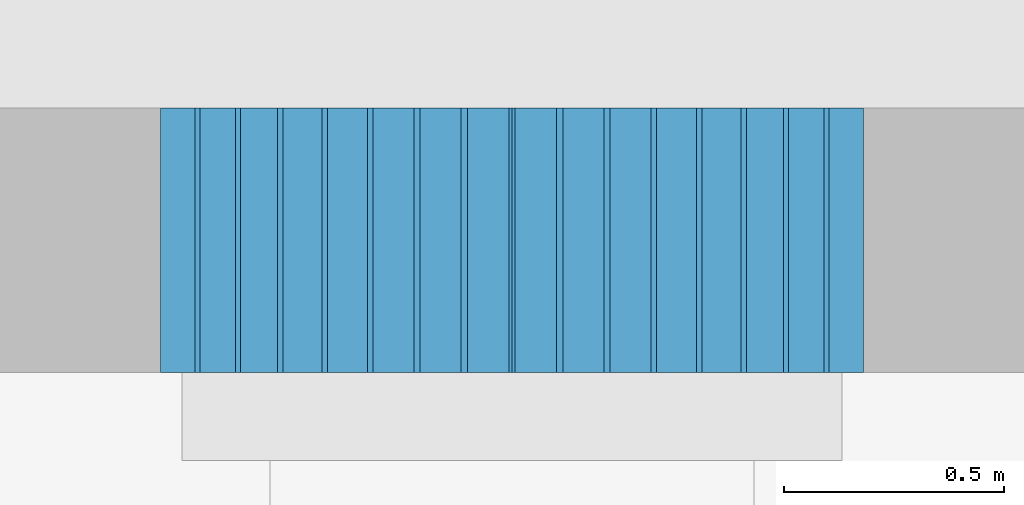
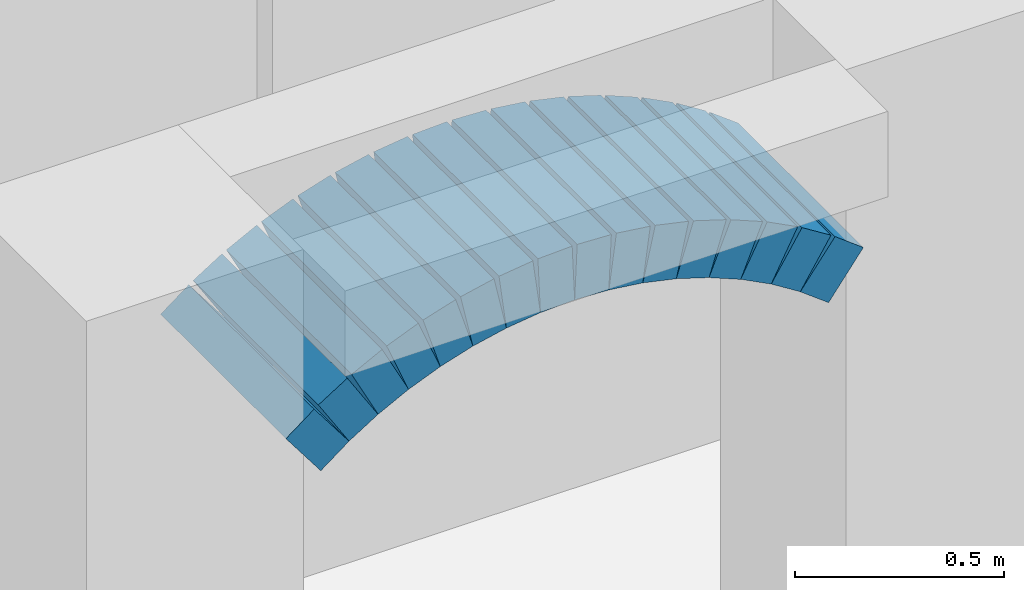
# One storey, part 30 of 115: 16 members.
"""IFC4 building model written with IfcOpenShell, lengths in metres."""

from ifc_helpers import new_model, si_unit, direction, frame, origin, origin_2d, place, context, subcontext, project, spatial, rectangle, extrude, material, material_profile, profile_set, type_object, element, save


model = new_model("IFC4")

# Units and contexts
model_context = context("Model", 3, precision=1e-05, world=origin(), true_north=direction((0.0, 1.0)))
body_context = subcontext(model_context, "Body", "Model", "MODEL_VIEW")
ifc_project = project(units=[si_unit("LENGTHUNIT", "METRE"), si_unit("AREAUNIT", "SQUARE_METRE"), si_unit("VOLUMEUNIT", "CUBIC_METRE"), si_unit("PLANEANGLEUNIT", "RADIAN"), si_unit("MASSUNIT", "GRAM", prefix="KILO")], contexts=[model_context])

# Site, building, storey
site_placement = place(None, origin())
site = spatial("IfcSite", under=ifc_project, at=site_placement, CompositionType="ELEMENT")
building_placement = place(site_placement, origin())
building = spatial("IfcBuilding", under=site, at=building_placement, Name="Ridgestep Commons", CompositionType="ELEMENT")
storey_placement = place(building_placement, frame((0.0, 0.0, 6.0)))
storey = spatial("IfcBuildingStorey", under=building, at=storey_placement, Name="L02", CompositionType="ELEMENT", Elevation=6.0)

# Members
ifc_material = material(Name="Precast concrete C40/50", Category="concrete")
ifc_material_profile = material_profile(ifc_material, rectangle(XDim=0.60009765625, YDim=0.159912109375, at=origin_2d()), Name="Portal arch segment 600 x 160")
ifc_profile_set = profile_set([ifc_material_profile], Name="Precast concrete C40/50")
member_type = type_object("IfcMemberType", Name="Portal arch segment 600 x 160", PredefinedType="USERDEFINED", material=ifc_profile_set)
member_1_placement = place(storey_placement, frame((165.862548828125, 11.449951171875, 2.300048828125), z_axis=(0.797600835796, 0.0, 0.603185632071), x_axis=(0.0, 1.0, 0.0)))
element("IfcMember", 1, at=member_1_placement, inside=storey, type_object=member_type, Name="Portal arch segment D1", ObjectType="ARCH SEGMENT", PredefinedType="USERDEFINED", context=body_context, shape_type="SweptSolid", body=[
    extrude(rectangle(XDim=0.60009765625, YDim=0.159912109375, at=origin_2d()), origin(), (0.0, 0.0, 1.0), 0.097900390625),
])
member_2_placement = place(storey_placement, frame((165.946533203125, 11.449951171875, 2.36328125), z_axis=(0.846835904525, 0.0, 0.53185425711), x_axis=(0.0, 1.0, 0.0)))
element("IfcMember", 2, at=member_2_placement, inside=storey, type_object=member_type, Name="Portal arch segment D2", ObjectType="ARCH SEGMENT", PredefinedType="USERDEFINED", context=body_context, shape_type="SweptSolid", body=[
    extrude(rectangle(XDim=0.60009765625, YDim=0.159912109375, at=origin_2d()), origin(), (0.0, 0.0, 1.0), 0.094482421875),
])
for number, where, z_axis, x_axis, name in (
    (3, (166.03271484375, 11.449951171875, 2.4169921875), (0.888688378727, 0.0, 0.458511685256), (0.0, 1.0, 0.0), "Portal arch segment D3"),
    (4, (166.123046875, 11.449951171875, 2.463134765625), (0.925423721181, 0.0, 0.378933947113), (0.0, 1.0, 0.0), "Portal arch segment D4"),
    (5, (166.21728515625, 11.449951171875, 2.50146484375), (0.954204240747, 0.0, 0.299155924126), (0.0, 1.0, 0.0), "Portal arch segment D5"),
    (6, (166.314208984375, 11.449951171875, 2.531494140625), (0.976849546351, 0.0, 0.213927473211), (0.0, 1.0, 0.0), "Portal arch segment D6"),
    (7, (166.41357421875, 11.449951171875, 2.552978515625), (0.991672073525, 0.0, 0.128788580977), (0.0, 1.0, 0.0), "Portal arch segment D7"),
    (8, (166.514404296875, 11.449951171875, 2.565673828125), (0.999041527498, 0.0, 0.04377243806), (0.0, 1.0, 0.0), "Portal arch segment D8"),
):
    element("IfcMember", number, at=place(storey_placement, frame(where, z_axis=z_axis, x_axis=x_axis)), inside=storey, type_object=member_type, Name=name, ObjectType="ARCH SEGMENT", PredefinedType="USERDEFINED", context=body_context, shape_type="SweptSolid", body=[
        extrude(rectangle(XDim=0.60009765625, YDim=0.159912109375, at=origin_2d()), origin(), (0.0, 0.0, 1.0), 0.0947265625),
    ])
for number, where, z_axis, x_axis, name in (
    (9, (166.615966796875, 11.449951171875, 2.56982421875), (0.999036574918, 0.0, -0.04388532758), (0.0, 1.0, 0.0), "Portal arch segment D9"),
    (10, (166.717529296875, 11.449951171875, 2.565185546875), (0.991629186244, 0.0, -0.129118383625), (0.0, 1.0, 0.0), "Portal arch segment D10"),
):
    element("IfcMember", number, at=place(storey_placement, frame(where, z_axis=z_axis, x_axis=x_axis)), inside=storey, type_object=member_type, Name=name, ObjectType="ARCH SEGMENT", PredefinedType="USERDEFINED", context=body_context, shape_type="SweptSolid", body=[
        extrude(rectangle(XDim=0.60009765625, YDim=0.159912109375, at=origin_2d()), origin(), (0.0, 0.0, 1.0), 0.094482421875),
    ])
member_3_placement = place(storey_placement, frame((166.818115234375, 11.449951171875, 2.5517578125), z_axis=(0.976849546351, 0.0, -0.213927473211), x_axis=(0.0, 1.0, 0.0)))
element("IfcMember", 11, at=member_3_placement, inside=storey, type_object=member_type, Name="Portal arch segment D11", ObjectType="ARCH SEGMENT", PredefinedType="USERDEFINED", context=body_context, shape_type="SweptSolid", body=[
    extrude(rectangle(XDim=0.60009765625, YDim=0.159912109375, at=origin_2d()), origin(), (0.0, 0.0, 1.0), 0.0947265625),
])
member_4_placement = place(storey_placement, frame((166.917236328125, 11.449951171875, 2.52978515625), z_axis=(0.954434191014, 0.0, -0.298421472123), x_axis=(0.0, 1.0, 0.0)))
element("IfcMember", 12, at=member_4_placement, inside=storey, type_object=member_type, Name="Portal arch segment D12", ObjectType="ARCH SEGMENT", PredefinedType="USERDEFINED", context=body_context, shape_type="SweptSolid", body=[
    extrude(rectangle(XDim=0.60009765625, YDim=0.159912109375, at=origin_2d()), origin(), (0.0, 0.0, 1.0), 0.094970703125),
])
for number, where, z_axis, x_axis, name in (
    (13, (167.01416015625, 11.449951171875, 2.4990234375), (0.925423721181, 0.0, -0.378933947113), (0.0, 1.0, 0.0), "Portal arch segment D13"),
    (14, (167.108154296875, 11.449951171875, 2.46044921875), (0.888688378727, 0.0, -0.458511685256), (0.0, 1.0, 0.0), "Portal arch segment D14"),
):
    element("IfcMember", number, at=place(storey_placement, frame(where, z_axis=z_axis, x_axis=x_axis)), inside=storey, type_object=member_type, Name=name, ObjectType="ARCH SEGMENT", PredefinedType="USERDEFINED", context=body_context, shape_type="SweptSolid", body=[
        extrude(rectangle(XDim=0.60009765625, YDim=0.159912109375, at=origin_2d()), origin(), (0.0, 0.0, 1.0), 0.0947265625),
    ])
member_5_placement = place(storey_placement, frame((167.198486328125, 11.449951171875, 2.41357421875), z_axis=(0.846835904525, 0.0, -0.53185425711), x_axis=(0.0, 1.0, 0.0)))
element("IfcMember", 15, at=member_5_placement, inside=storey, type_object=member_type, Name="Portal arch segment D15", ObjectType="ARCH SEGMENT", PredefinedType="USERDEFINED", context=body_context, shape_type="SweptSolid", body=[
    extrude(rectangle(XDim=0.60009765625, YDim=0.159912109375, at=origin_2d()), origin(), (0.0, 0.0, 1.0), 0.094482421875),
])
member_6_placement = place(storey_placement, frame((167.2841796875, 11.449951171875, 2.359130859375), z_axis=(0.79850499213, 0.0, -0.601988187213), x_axis=(0.0, 1.0, 0.0)))
element("IfcMember", 16, at=member_6_placement, inside=storey, type_object=member_type, Name="Portal arch segment D16", ObjectType="ARCH SEGMENT", PredefinedType="USERDEFINED", context=body_context, shape_type="SweptSolid", body=[
    extrude(rectangle(XDim=0.60009765625, YDim=0.159912109375, at=origin_2d()), origin(), (0.0, 0.0, 1.0), 0.09814453125),
])

save(model, "model.ifc")
